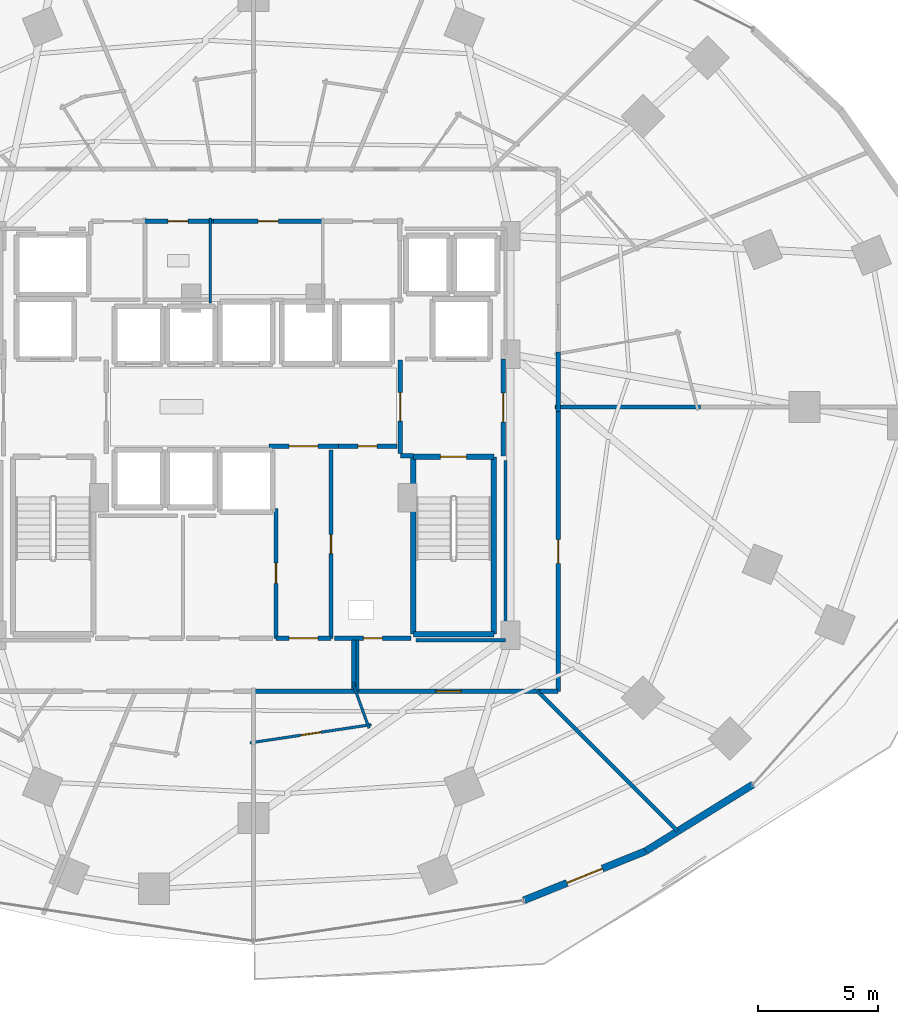
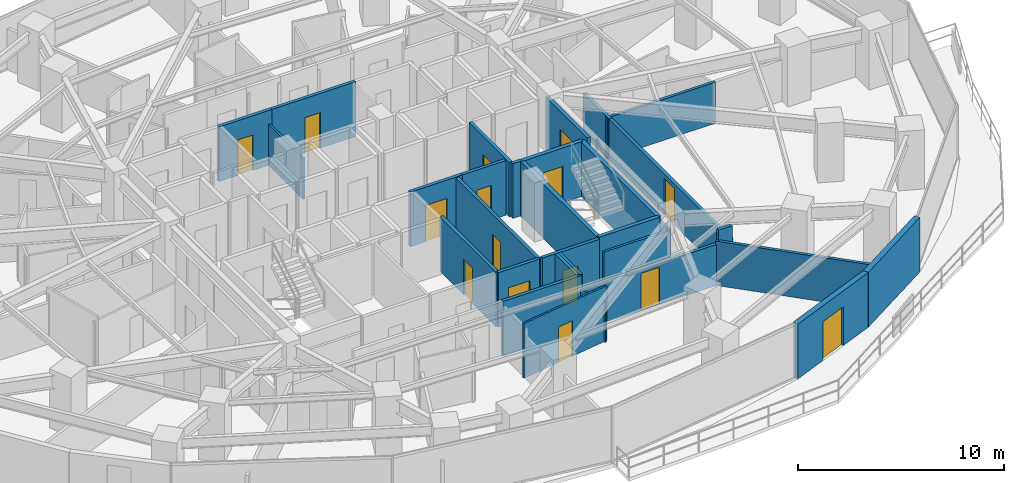
# One storey, part 28 of 34: 31 walls, 15 doors, 15 openings.
"""IFC4 building model written with IfcOpenShell, lengths in metres."""

from ifc_helpers import new_model, si_unit, direction, frame, frame_2d, origin, place, context, subcontext, project, spatial, rectangle, extrude, material, layer, layer_set, type_object, element, fill, save


model = new_model("IFC4")

# Units and contexts
model_context = context("Model", 3, precision=1e-05, world=origin(), true_north=direction((0.0, 1.0)))
body_context = subcontext(model_context, "Body", "Model", "MODEL_VIEW")
ifc_project = project(units=[si_unit("LENGTHUNIT", "METRE"), si_unit("AREAUNIT", "SQUARE_METRE"), si_unit("VOLUMEUNIT", "CUBIC_METRE"), si_unit("PLANEANGLEUNIT", "RADIAN"), si_unit("MASSUNIT", "GRAM", prefix="KILO")], contexts=[model_context])

# Site, building, storey
site_placement = place(None, origin())
site = spatial("IfcSite", under=ifc_project, at=site_placement, CompositionType="ELEMENT")
building_placement = place(site_placement, origin())
building = spatial("IfcBuilding", under=site, at=building_placement, Name="Vorneva Point Tower", CompositionType="ELEMENT")
storey_placement = place(building_placement, frame((0.0, 0.0, 31.0)))
storey = spatial("IfcBuildingStorey", under=building, at=storey_placement, Name="L07", CompositionType="ELEMENT", Elevation=31.0)

# Wall, opening, door
ifc_material_1 = material(Name="Precast concrete B50 (C40/50)", Category="concrete")
ifc_layer_1 = layer(ifc_material_1, 0.300048828125)
ifc_layer_set_1 = layer_set([ifc_layer_1], Name="Precast concrete B50 (C40/50)")
wall_type_1 = type_object("IfcWallType", Name="WL-EXT-300", PredefinedType="STANDARD", material=ifc_layer_set_1)
wall_1_placement = place(storey_placement, frame((49.308349609375, 5.351318359375, 0.0), z_axis=(0.0, 0.0, 1.0), x_axis=(0.927095325176, 0.374825636845, 0.0)))
wall_1 = element("IfcWall", 1, at=wall_1_placement, inside=storey, type_object=wall_type_1, Name="L07 Pale-Metal Facade Spandrel Wall 14.1", PredefinedType="STANDARD", context=body_context, shape_type="SweptSolid", body=[
    extrude(rectangle(XDim=5.51025390625, YDim=0.300048828125, at=frame_2d((2.755126953125, 0.0))), origin(), (0.0, 0.0, 1.0), 3.239990234375),
])
opening_1_placement = place(wall_1_placement, frame((1.955322265625, 0.0, 0.0)))
opening_1 = element("IfcOpeningElement", 2, at=opening_1_placement, cuts=wall_1, Name="Opening BD-01", PredefinedType="OPENING", context=body_context, shape_type="SweptSolid", body=[
    extrude(rectangle(XDim=1.60009765625, YDim=2.300048828125, at=frame_2d((0.800048828125, 1.14990234375))), frame((0.0, 0.1650390625, 0.0), z_axis=(0.0, -1.0, 0.0), x_axis=(1.0, 0.0, 0.0)), (0.0, 0.0, 1.0), 0.329833984375),
])
ifc_material_2 = material(Name="Pale anodised aluminium", Category="aluminium")
door_type_1 = type_object("IfcDoorType", Name="DR-BAL-1600", OperationType="SLIDING_TO_LEFT", PredefinedType="DOOR", material=ifc_material_2)
door_1_placement = place(opening_1_placement, origin())
door_1 = element("IfcDoor", 3, at=door_1_placement, inside=storey, type_object=door_type_1, Name="L07 Balcony Terrace Access Door 14", OperationType="SLIDING_TO_LEFT", OverallHeight=2.300048828125, OverallWidth=1.60009765625, PredefinedType="DOOR", context=body_context, shape_type="SweptSolid", body=[
    extrude(rectangle(XDim=1.60009765625, YDim=2.300048828125, at=frame_2d((0.800048828125, 1.14990234375))), frame((0.0, 0.02490234375, 0.0), z_axis=(0.0, -1.0, 0.0), x_axis=(1.0, 0.0, 0.0)), (0.0, 0.0, 1.0), 0.050048828125),
])
fill(opening_1, door_1)

# Walls
wall_2_placement = place(storey_placement, frame((54.4169921875, 7.416748046875, 0.0), z_axis=(0.0, 0.0, 1.0), x_axis=(0.849633724826, 0.527373239404, 0.0)))
element("IfcWall", 4, at=wall_2_placement, inside=storey, type_object=wall_type_1, Name="L07 Pale-Metal Facade Spandrel Wall 14.2", PredefinedType="STANDARD", context=body_context, shape_type="SweptSolid", body=[
    extrude(rectangle(XDim=5.2705078125, YDim=0.300048828125, at=frame_2d((2.63525390625, 0.0))), origin(), (0.0, 0.0, 1.0), 3.239990234375),
])
ifc_material_3 = material(Name="Fire-rated acoustic gypsum stud partition", Category="gypsum")
ifc_layer_2 = layer(ifc_material_3, 0.110107421875)
ifc_layer_set_2 = layer_set([ifc_layer_2], Name="Fire-rated acoustic gypsum stud partition")
wall_type_2 = type_object("IfcWallType", Name="WL-PART-110", PredefinedType="PARTITIONING", material=ifc_layer_set_2)
wall_3_placement = place(storey_placement, frame((36.199951171875, 30.340087890625, 0.0), z_axis=(0.0, 0.0, 1.0), x_axis=(0.0, 1.0, 0.0)))
element("IfcWall", 5, at=wall_3_placement, inside=storey, type_object=wall_type_2, Name="L07 Interior Partition 015", PredefinedType="PARTITIONING", context=body_context, shape_type="SweptSolid", body=[
    extrude(rectangle(XDim=3.559814453125, YDim=0.110107421875, at=frame_2d((1.77978515625, 0.0))), origin(), (0.0, 0.0, 1.0), 2.431884765625),
])

# Wall, opening, door
wall_4_placement = place(storey_placement, frame((42.932373046875, 12.705810546875, 0.0), z_axis=(0.0, 0.0, 1.0), x_axis=(-0.988876905643, -0.148736227888, 0.0)))
wall_4 = element("IfcWall", 6, at=wall_4_placement, inside=storey, type_object=wall_type_2, Name="L07 Interior Partition 104", PredefinedType="PARTITIONING", context=body_context, shape_type="SweptSolid", body=[
    extrude(rectangle(XDim=5.1279296875, YDim=0.110107421875, at=frame_2d((2.56396484375, 0.0))), origin(), (0.0, 0.0, 1.0), 3.239990234375),
])
opening_2_placement = place(wall_4_placement, frame((2.138916015625, 0.0, 0.0)))
opening_2 = element("IfcOpeningElement", 7, at=opening_2_placement, cuts=wall_4, Name="Opening ID-02", PredefinedType="OPENING", context=body_context, shape_type="SweptSolid", body=[
    extrude(rectangle(XDim=0.85009765625, YDim=2.10009765625, at=frame_2d((0.425048828125, 1.050048828125))), frame((0.0, 0.06982421875, 0.0), z_axis=(0.0, -1.0, 0.0), x_axis=(1.0, 0.0, 0.0)), (0.0, 0.0, 1.0), 0.139892578125),
])
ifc_material_4 = material(Name="Engineered oak fire-rated door leaf", Category="wood")
door_type_2 = type_object("IfcDoorType", Name="DR-BATH-850", OperationType="NOTDEFINED", PredefinedType="DOOR", material=ifc_material_4)
door_2_placement = place(opening_2_placement, origin())
door_2 = element("IfcDoor", 8, at=door_2_placement, inside=storey, type_object=door_type_2, Name="L07 Door Junior Suite L07-13 / En-Suite Bathroom L07-13", OperationType="SINGLE_SWING_LEFT", OverallHeight=2.10009765625, OverallWidth=0.85009765625, PredefinedType="DOOR", context=body_context, shape_type="SweptSolid", body=[
    extrude(rectangle(XDim=0.85009765625, YDim=2.10009765625, at=frame_2d((0.425048828125, 1.050048828125))), frame((0.0, 0.02490234375, 0.0), z_axis=(0.0, -1.0, 0.0), x_axis=(1.0, 0.0, 0.0)), (0.0, 0.0, 1.0), 0.050048828125),
])
fill(opening_2, door_2)

# Walls
wall_5_placement = place(storey_placement, frame((42.152587890625, 14.4658203125, 0.0), z_axis=(0.0, 0.0, 1.0), x_axis=(0.338800270412, -0.940858319179, 0.0)))
element("IfcWall", 9, at=wall_5_placement, inside=storey, type_object=wall_type_2, Name="L07 Interior Partition 105", PredefinedType="PARTITIONING", context=body_context, shape_type="SweptSolid", body=[
    extrude(rectangle(XDim=2.03271484375, YDim=0.110107421875, at=frame_2d((1.016357421875, 0.0))), origin(), (0.0, 0.0, 1.0), 2.431884765625),
])
ifc_layer_3 = layer(ifc_material_3, 0.139892578125)
ifc_layer_set_3 = layer_set([ifc_layer_3], Name="Fire-rated acoustic gypsum stud partition")
wall_type_3 = type_object("IfcWallType", Name="WL-PART-140", PredefinedType="PARTITIONING", material=ifc_layer_set_3)
wall_6_placement = place(storey_placement, frame((48.550048828125, 23.75390625, 0.0), z_axis=(0.0, 0.0, 1.0), x_axis=(0.0, -1.0, 0.0)))
element("IfcWall", 10, at=wall_6_placement, inside=storey, type_object=wall_type_3, Name="L07 Interior Closure Partition 118", PredefinedType="PARTITIONING", context=body_context, shape_type="SweptSolid", body=[
    extrude(rectangle(XDim=7.513916015625, YDim=0.139892578125, at=frame_2d((3.7568359375, 0.0))), origin(), (0.0, 0.0, 1.0), 2.431884765625),
])
wall_7_placement = place(storey_placement, frame((48.550048828125, 16.239990234375, 0.0), z_axis=(0.0, 0.0, 1.0), x_axis=(-1.0, 0.0, 0.0)))
element("IfcWall", 11, at=wall_7_placement, inside=storey, type_object=wall_type_3, Name="L07 Interior Closure Partition 119", PredefinedType="PARTITIONING", context=body_context, shape_type="SweptSolid", body=[
    extrude(rectangle(XDim=3.7451171875, YDim=0.139892578125, at=frame_2d((1.87255859375, 0.0))), origin(), (0.0, 0.0, 1.0), 2.431884765625),
])
ifc_layer_4 = layer(ifc_material_3, 0.159912109375)
ifc_layer_set_4 = layer_set([ifc_layer_4], Name="Fire-rated acoustic gypsum stud partition")
wall_type_4 = type_object("IfcWallType", Name="WL-PART-160", PredefinedType="PARTITIONING", material=ifc_layer_set_4)
wall_8_placement = place(storey_placement, frame((50.610107421875, 26.0, 0.0), z_axis=(0.0, 0.0, 1.0), x_axis=(1.0, 0.0, 0.0)))
element("IfcWall", 12, at=wall_8_placement, inside=storey, type_object=wall_type_4, Name="L07 Interior Partition 061", PredefinedType="PARTITIONING", context=body_context, shape_type="SweptSolid", body=[
    extrude(rectangle(XDim=6.08984375, YDim=0.159912109375, at=frame_2d((3.044921875, 0.0))), origin(), (0.0, 0.0, 1.0), 2.431884765625),
])
wall_9_placement = place(storey_placement, frame((55.7529296875, 8.2470703125, 0.0), z_axis=(0.0, 0.0, 1.0), x_axis=(-0.707106781187, 0.707106781187, 0.0)))
element("IfcWall", 13, at=wall_9_placement, inside=storey, type_object=wall_type_4, Name="L07 Interior Partition 106", PredefinedType="PARTITIONING", context=body_context, shape_type="SweptSolid", body=[
    extrude(rectangle(XDim=8.27734375, YDim=0.159912109375, at=frame_2d((4.138671875, 0.0))), origin(), (0.0, 0.0, 1.0), 2.6240234375),
])

# Wall, opening, door
ifc_material_5 = material(Name="Autoclaved aerated concrete blockwork", Category="masonry")
ifc_layer_5 = layer(ifc_material_5, 0.179931640625)
ifc_layer_set_5 = layer_set([ifc_layer_5], Name="Autoclaved aerated concrete blockwork")
wall_type_5 = type_object("IfcWallType", Name="WL-PART-180", PredefinedType="PARTITIONING", material=ifc_layer_set_5)
wall_10_placement = place(storey_placement, frame((44.14990234375, 27.955078125, 0.0), z_axis=(0.0, 0.0, 1.0), x_axis=(0.0, -1.0, 0.0)))
wall_10 = element("IfcWall", 14, at=wall_10_placement, inside=storey, type_object=wall_type_5, Name="L07 Interior Partition 003", PredefinedType="PARTITIONING", context=body_context, shape_type="SweptSolid", body=[
    extrude(rectangle(XDim=3.91015625, YDim=0.179931640625, at=frame_2d((1.955078125, 0.0))), origin(), (0.0, 0.0, 1.0), 3.239990234375),
])
opening_3_placement = place(wall_10_placement, frame((1.35498046875, 0.0, 0.0)))
opening_3 = element("IfcOpeningElement", 15, at=opening_3_placement, cuts=wall_10, Name="Opening FD-02", PredefinedType="OPENING", context=body_context, shape_type="SweptSolid", body=[
    extrude(rectangle(XDim=1.199951171875, YDim=2.14990234375, at=frame_2d((0.60009765625, 1.074951171875))), frame((0.0, 0.10498046875, 0.0), z_axis=(0.0, -1.0, 0.0), x_axis=(1.0, 0.0, 0.0)), (0.0, 0.0, 1.0), 0.209716796875),
])
ifc_material_6 = material(Name="Fire-rated powder-coated steel", Category="steel")
door_type_3 = type_object("IfcDoorType", Name="DR-FFL-1200", OperationType="NOTDEFINED", PredefinedType="DOOR", material=ifc_material_6)
door_3_placement = place(opening_3_placement, origin())
door_3 = element("IfcDoor", 16, at=door_3_placement, inside=storey, type_object=door_type_3, Name="L07 Door East Firefighting Lobby / Central Lift Lobby", OperationType="SINGLE_SWING_LEFT", OverallHeight=2.14990234375, OverallWidth=1.199951171875, PredefinedType="DOOR", context=body_context, shape_type="SweptSolid", body=[
    extrude(rectangle(XDim=1.199951171875, YDim=2.14990234375, at=frame_2d((0.60009765625, 1.074951171875))), frame((0.0, 0.02490234375, 0.0), z_axis=(0.0, -1.0, 0.0), x_axis=(1.0, 0.0, 0.0)), (0.0, 0.0, 1.0), 0.050048828125),
])
fill(opening_3, door_3)

# Wall
wall_11_placement = place(storey_placement, frame((44.14990234375, 23.949951171875, 0.0), z_axis=(0.0, 0.0, 1.0), x_axis=(1.0, 0.0, 0.0)))
element("IfcWall", 17, at=wall_11_placement, inside=storey, type_object=wall_type_5, Name="L07 Interior Partition 004", PredefinedType="PARTITIONING", context=body_context, shape_type="SweptSolid", body=[
    extrude(rectangle(XDim=0.5400390625, YDim=0.179931640625, at=frame_2d((0.27001953125, 0.0))), origin(), (0.0, 0.0, 1.0), 3.239990234375),
])

# Wall, opening, door
wall_12_placement = place(storey_placement, frame((48.449951171875, 23.949951171875, 0.0), z_axis=(0.0, 0.0, 1.0), x_axis=(0.0, 1.0, 0.0)))
wall_12 = element("IfcWall", 18, at=wall_12_placement, inside=storey, type_object=wall_type_5, Name="L07 Interior Partition 005", PredefinedType="PARTITIONING", context=body_context, shape_type="SweptSolid", body=[
    extrude(rectangle(XDim=4.050048828125, YDim=0.179931640625, at=frame_2d((2.02490234375, 0.0))), origin(), (0.0, 0.0, 1.0), 3.239990234375),
])
opening_4_placement = place(wall_12_placement, frame((1.425048828125, 0.0, 0.0)))
opening_4 = element("IfcOpeningElement", 19, at=opening_4_placement, cuts=wall_12, Name="Opening FD-02", PredefinedType="OPENING", context=body_context, shape_type="SweptSolid", body=[
    extrude(rectangle(XDim=1.199951171875, YDim=2.14990234375, at=frame_2d((0.60009765625, 1.074951171875))), frame((0.0, 0.10498046875, 0.0), z_axis=(0.0, -1.0, 0.0), x_axis=(1.0, 0.0, 0.0)), (0.0, 0.0, 1.0), 0.209716796875),
])
door_4_placement = place(opening_4_placement, origin())
door_4 = element("IfcDoor", 20, at=door_4_placement, inside=storey, type_object=door_type_3, Name="L07 Door East Firefighting Lobby / L07 Circulation Corridor", OperationType="SINGLE_SWING_LEFT", OverallHeight=2.14990234375, OverallWidth=1.199951171875, PredefinedType="DOOR", context=body_context, shape_type="SweptSolid", body=[
    extrude(rectangle(XDim=1.199951171875, YDim=2.14990234375, at=frame_2d((0.60009765625, 1.074951171875))), frame((0.0, 0.02490234375, 0.0), z_axis=(0.0, -1.0, 0.0), x_axis=(1.0, 0.0, 0.0)), (0.0, 0.0, 1.0), 0.050048828125),
])
fill(opening_4, door_4)

wall_13_placement = place(storey_placement, frame((38.64501953125, 24.35009765625, 0.0), z_axis=(0.0, 0.0, 1.0), x_axis=(1.0, 0.0, 0.0)))
wall_13 = element("IfcWall", 21, at=wall_13_placement, inside=storey, type_object=wall_type_5, Name="L07 Interior Partition 009", PredefinedType="PARTITIONING", context=body_context, shape_type="SweptSolid", body=[
    extrude(rectangle(XDim=2.909912109375, YDim=0.179931640625, at=frame_2d((1.455078125, 0.0))), origin(), (0.0, 0.0, 1.0), 3.239990234375),
])
opening_5_placement = place(wall_13_placement, frame((0.85498046875, 0.0, 0.0)))
opening_5 = element("IfcOpeningElement", 22, at=opening_5_placement, cuts=wall_13, Name="Opening FD-02", PredefinedType="OPENING", context=body_context, shape_type="SweptSolid", body=[
    extrude(rectangle(XDim=1.199951171875, YDim=2.14990234375, at=frame_2d((0.60009765625, 1.074951171875))), frame((0.0, 0.10498046875, 0.0), z_axis=(0.0, -1.0, 0.0), x_axis=(1.0, 0.0, 0.0)), (0.0, 0.0, 1.0), 0.209716796875),
])
door_5_placement = place(opening_5_placement, origin())
door_5 = element("IfcDoor", 23, at=door_5_placement, inside=storey, type_object=door_type_3, Name="L07 Door Central Lift Lobby / Core Service Lobby", OperationType="SINGLE_SWING_RIGHT", OverallHeight=2.14990234375, OverallWidth=1.199951171875, PredefinedType="DOOR", context=body_context, shape_type="SweptSolid", body=[
    extrude(rectangle(XDim=1.199951171875, YDim=2.14990234375, at=frame_2d((0.60009765625, 1.074951171875))), frame((0.0, 0.02490234375, 0.0), z_axis=(0.0, -1.0, 0.0), x_axis=(1.0, 0.0, 0.0)), (0.0, 0.0, 1.0), 0.050048828125),
])
fill(opening_5, door_5)

wall_14_placement = place(storey_placement, frame((41.554931640625, 24.35009765625, 0.0), z_axis=(0.0, 0.0, 1.0), x_axis=(1.0, 0.0, 0.0)))
wall_14 = element("IfcWall", 24, at=wall_14_placement, inside=storey, type_object=wall_type_5, Name="L07 Interior Partition 010", PredefinedType="PARTITIONING", context=body_context, shape_type="SweptSolid", body=[
    extrude(rectangle(XDim=2.445068359375, YDim=0.179931640625, at=frame_2d((1.22265625, 0.0))), origin(), (0.0, 0.0, 1.0), 3.239990234375),
])
opening_6_placement = place(wall_14_placement, frame((0.822509765625, 0.0, 0.0)))
opening_6 = element("IfcOpeningElement", 25, at=opening_6_placement, cuts=wall_14, Name="Opening RD-01", PredefinedType="OPENING", context=body_context, shape_type="SweptSolid", body=[
    extrude(rectangle(XDim=0.800048828125, YDim=2.050048828125, at=frame_2d((0.39990234375, 1.02490234375))), frame((0.0, 0.10498046875, 0.0), z_axis=(0.0, -1.0, 0.0), x_axis=(1.0, 0.0, 0.0)), (0.0, 0.0, 1.0), 0.209716796875),
])
door_type_4 = type_object("IfcDoorType", Name="DR-RSR-800", OperationType="SINGLE_SWING_LEFT", PredefinedType="DOOR", material=ifc_material_6)
door_6_placement = place(opening_6_placement, origin())
door_6 = element("IfcDoor", 26, at=door_6_placement, inside=storey, type_object=door_type_4, Name="L07 Door Central Lift Lobby / Electrical Riser", OperationType="SINGLE_SWING_LEFT", OverallHeight=2.050048828125, OverallWidth=0.800048828125, PredefinedType="DOOR", context=body_context, shape_type="SweptSolid", body=[
    extrude(rectangle(XDim=0.800048828125, YDim=2.050048828125, at=frame_2d((0.39990234375, 1.02490234375))), frame((0.0, 0.02490234375, 0.0), z_axis=(0.0, -1.0, 0.0), x_axis=(1.0, 0.0, 0.0)), (0.0, 0.0, 1.0), 0.050048828125),
])
fill(opening_6, door_6)

wall_15_placement = place(storey_placement, frame((41.25, 16.320068359375, 0.0), z_axis=(0.0, 0.0, 1.0), x_axis=(0.0, 1.0, 0.0)))
wall_15 = element("IfcWall", 27, at=wall_15_placement, inside=storey, type_object=wall_type_5, Name="L07 Interior Partition 011", PredefinedType="PARTITIONING", context=body_context, shape_type="SweptSolid", body=[
    extrude(rectangle(XDim=7.8798828125, YDim=0.179931640625, at=frame_2d((3.93994140625, 0.0))), origin(), (0.0, 0.0, 1.0), 3.239990234375),
])
opening_7_placement = place(wall_15_placement, frame((3.5400390625, 0.0, 0.0)))
opening_7 = element("IfcOpeningElement", 28, at=opening_7_placement, cuts=wall_15, Name="Opening RD-01", PredefinedType="OPENING", context=body_context, shape_type="SweptSolid", body=[
    extrude(rectangle(XDim=0.800048828125, YDim=2.050048828125, at=frame_2d((0.39990234375, 1.02490234375))), frame((0.0, 0.10498046875, 0.0), z_axis=(0.0, -1.0, 0.0), x_axis=(1.0, 0.0, 0.0)), (0.0, 0.0, 1.0), 0.209716796875),
])
door_7_placement = place(opening_7_placement, origin())
door_7 = element("IfcDoor", 29, at=door_7_placement, inside=storey, type_object=door_type_4, Name="L07 Door Core Service Lobby / Electrical Riser", OperationType="SINGLE_SWING_RIGHT", OverallHeight=2.050048828125, OverallWidth=0.800048828125, PredefinedType="DOOR", context=body_context, shape_type="SweptSolid", body=[
    extrude(rectangle(XDim=0.800048828125, YDim=2.050048828125, at=frame_2d((0.39990234375, 1.02490234375))), frame((0.0, 0.02490234375, 0.0), z_axis=(0.0, -1.0, 0.0), x_axis=(1.0, 0.0, 0.0)), (0.0, 0.0, 1.0), 0.050048828125),
])
fill(opening_7, door_7)

wall_16_placement = place(storey_placement, frame((38.949951171875, 21.7548828125, 0.0), z_axis=(0.0, 0.0, 1.0), x_axis=(0.0, -1.0, 0.0)))
wall_16 = element("IfcWall", 30, at=wall_16_placement, inside=storey, type_object=wall_type_5, Name="L07 Interior Partition 012", PredefinedType="PARTITIONING", context=body_context, shape_type="SweptSolid", body=[
    extrude(rectangle(XDim=5.434814453125, YDim=0.179931640625, at=frame_2d((2.71728515625, 0.0))), origin(), (0.0, 0.0, 1.0), 3.239990234375),
])
opening_8_placement = place(wall_16_placement, frame((2.29248046875, 0.0, 0.0)))
opening_8 = element("IfcOpeningElement", 31, at=opening_8_placement, cuts=wall_16, Name="Opening ID-02", PredefinedType="OPENING", context=body_context, shape_type="SweptSolid", body=[
    extrude(rectangle(XDim=0.85009765625, YDim=2.10009765625, at=frame_2d((0.425048828125, 1.050048828125))), frame((0.0, 0.10498046875, 0.0), z_axis=(0.0, -1.0, 0.0), x_axis=(1.0, 0.0, 0.0)), (0.0, 0.0, 1.0), 0.209716796875),
])
door_8_placement = place(opening_8_placement, origin())
door_8 = element("IfcDoor", 32, at=door_8_placement, inside=storey, type_object=door_type_2, Name="L07 Door Core Service Lobby / Linen Store", OperationType="SINGLE_SWING_LEFT", OverallHeight=2.10009765625, OverallWidth=0.85009765625, PredefinedType="DOOR", context=body_context, shape_type="SweptSolid", body=[
    extrude(rectangle(XDim=0.85009765625, YDim=2.10009765625, at=frame_2d((0.425048828125, 1.050048828125))), frame((0.0, 0.02490234375, 0.0), z_axis=(0.0, -1.0, 0.0), x_axis=(1.0, 0.0, 0.0)), (0.0, 0.0, 1.0), 0.050048828125),
])
fill(opening_8, door_8)

wall_17_placement = place(storey_placement, frame((38.949951171875, 16.320068359375, 0.0), z_axis=(0.0, 0.0, 1.0), x_axis=(1.0, 0.0, 0.0)))
wall_17 = element("IfcWall", 33, at=wall_17_placement, inside=storey, type_object=wall_type_5, Name="L07 Interior Partition 013", PredefinedType="PARTITIONING", context=body_context, shape_type="SweptSolid", body=[
    extrude(rectangle(XDim=2.300048828125, YDim=0.179931640625, at=frame_2d((1.14990234375, 0.0))), origin(), (0.0, 0.0, 1.0), 3.239990234375),
])
opening_9_placement = place(wall_17_placement, frame((0.550048828125, 0.0, 0.0)))
opening_9 = element("IfcOpeningElement", 34, at=opening_9_placement, cuts=wall_17, Name="Opening FD-02", PredefinedType="OPENING", context=body_context, shape_type="SweptSolid", body=[
    extrude(rectangle(XDim=1.199951171875, YDim=2.14990234375, at=frame_2d((0.60009765625, 1.074951171875))), frame((0.0, 0.10498046875, 0.0), z_axis=(0.0, -1.0, 0.0), x_axis=(1.0, 0.0, 0.0)), (0.0, 0.0, 1.0), 0.209716796875),
])
door_9_placement = place(opening_9_placement, origin())
door_9 = element("IfcDoor", 35, at=door_9_placement, inside=storey, type_object=door_type_3, Name="L07 Door Core Service Lobby / L07 Circulation Corridor", OperationType="SINGLE_SWING_RIGHT", OverallHeight=2.14990234375, OverallWidth=1.199951171875, PredefinedType="DOOR", context=body_context, shape_type="SweptSolid", body=[
    extrude(rectangle(XDim=1.199951171875, YDim=2.14990234375, at=frame_2d((0.60009765625, 1.074951171875))), frame((0.0, 0.02490234375, 0.0), z_axis=(0.0, -1.0, 0.0), x_axis=(1.0, 0.0, 0.0)), (0.0, 0.0, 1.0), 0.050048828125),
])
fill(opening_9, door_9)

wall_18_placement = place(storey_placement, frame((41.39990234375, 16.320068359375, 0.0), z_axis=(0.0, 0.0, 1.0), x_axis=(1.0, 0.0, 0.0)))
wall_18 = element("IfcWall", 36, at=wall_18_placement, inside=storey, type_object=wall_type_5, Name="L07 Interior Partition 014", PredefinedType="PARTITIONING", context=body_context, shape_type="SweptSolid", body=[
    extrude(rectangle(XDim=3.2001953125, YDim=0.179931640625, at=frame_2d((1.60009765625, 0.0))), origin(), (0.0, 0.0, 1.0), 3.239990234375),
])
opening_10_placement = place(wall_18_placement, frame((1.199951171875, 0.0, 0.0)))
opening_10 = element("IfcOpeningElement", 37, at=opening_10_placement, cuts=wall_18, Name="Opening RD-01", PredefinedType="OPENING", context=body_context, shape_type="SweptSolid", body=[
    extrude(rectangle(XDim=0.800048828125, YDim=2.050048828125, at=frame_2d((0.39990234375, 1.02490234375))), frame((0.0, 0.10498046875, 0.0), z_axis=(0.0, -1.0, 0.0), x_axis=(1.0, 0.0, 0.0)), (0.0, 0.0, 1.0), 0.209716796875),
])
door_10_placement = place(opening_10_placement, origin())
door_10 = element("IfcDoor", 38, at=door_10_placement, inside=storey, type_object=door_type_4, Name="L07 Door Electrical Riser / L07 Circulation Corridor", OperationType="SINGLE_SWING_LEFT", OverallHeight=2.050048828125, OverallWidth=0.800048828125, PredefinedType="DOOR", context=body_context, shape_type="SweptSolid", body=[
    extrude(rectangle(XDim=0.800048828125, YDim=2.050048828125, at=frame_2d((0.39990234375, 1.02490234375))), frame((0.0, 0.02490234375, 0.0), z_axis=(0.0, -1.0, 0.0), x_axis=(1.0, 0.0, 0.0)), (0.0, 0.0, 1.0), 0.050048828125),
])
fill(opening_10, door_10)

wall_19_placement = place(storey_placement, frame((36.340087890625, 33.760009765625, 0.0), z_axis=(0.0, 0.0, 1.0), x_axis=(-1.0, 0.0, 0.0)))
wall_19 = element("IfcWall", 39, at=wall_19_placement, inside=storey, type_object=wall_type_5, Name="L07 Interior Partition 016", PredefinedType="PARTITIONING", context=body_context, shape_type="SweptSolid", body=[
    extrude(rectangle(XDim=2.97998046875, YDim=0.179931640625, at=frame_2d((1.489990234375, 0.0))), origin(), (0.0, 0.0, 1.0), 3.239990234375),
])
opening_11_placement = place(wall_19_placement, frame((1.06494140625, 0.0, 0.0)))
opening_11 = element("IfcOpeningElement", 40, at=opening_11_placement, cuts=wall_19, Name="Opening ID-02", PredefinedType="OPENING", context=body_context, shape_type="SweptSolid", body=[
    extrude(rectangle(XDim=0.85009765625, YDim=2.10009765625, at=frame_2d((0.425048828125, 1.050048828125))), frame((0.0, 0.10498046875, 0.0), z_axis=(0.0, -1.0, 0.0), x_axis=(1.0, 0.0, 0.0)), (0.0, 0.0, 1.0), 0.209716796875),
])
door_11_placement = place(opening_11_placement, origin())
door_11 = element("IfcDoor", 41, at=door_11_placement, inside=storey, type_object=door_type_2, Name="L07 Door Public Male WC / L07 Circulation Corridor", OperationType="SINGLE_SWING_RIGHT", OverallHeight=2.10009765625, OverallWidth=0.85009765625, PredefinedType="DOOR", context=body_context, shape_type="SweptSolid", body=[
    extrude(rectangle(XDim=0.85009765625, YDim=2.10009765625, at=frame_2d((0.425048828125, 1.050048828125))), frame((0.0, 0.02490234375, 0.0), z_axis=(0.0, -1.0, 0.0), x_axis=(1.0, 0.0, 0.0)), (0.0, 0.0, 1.0), 0.050048828125),
])
fill(opening_11, door_11)

wall_20_placement = place(storey_placement, frame((41.0400390625, 33.760009765625, 0.0), z_axis=(0.0, 0.0, 1.0), x_axis=(-1.0, 0.0, 0.0)))
wall_20 = element("IfcWall", 42, at=wall_20_placement, inside=storey, type_object=wall_type_5, Name="L07 Interior Partition 018", PredefinedType="PARTITIONING", context=body_context, shape_type="SweptSolid", body=[
    extrude(rectangle(XDim=4.840087890625, YDim=0.179931640625, at=frame_2d((2.419921875, 0.0))), origin(), (0.0, 0.0, 1.0), 3.239990234375),
])
opening_12_placement = place(wall_20_placement, frame((1.9951171875, 0.0, 0.0)))
opening_12 = element("IfcOpeningElement", 43, at=opening_12_placement, cuts=wall_20, Name="Opening ID-02", PredefinedType="OPENING", context=body_context, shape_type="SweptSolid", body=[
    extrude(rectangle(XDim=0.85009765625, YDim=2.10009765625, at=frame_2d((0.425048828125, 1.050048828125))), frame((0.0, 0.10498046875, 0.0), z_axis=(0.0, -1.0, 0.0), x_axis=(1.0, 0.0, 0.0)), (0.0, 0.0, 1.0), 0.209716796875),
])
door_12_placement = place(opening_12_placement, origin())
door_12 = element("IfcDoor", 44, at=door_12_placement, inside=storey, type_object=door_type_2, Name="L07 Door Public Female WC / L07 Circulation Corridor", OperationType="SINGLE_SWING_LEFT", OverallHeight=2.10009765625, OverallWidth=0.85009765625, PredefinedType="DOOR", context=body_context, shape_type="SweptSolid", body=[
    extrude(rectangle(XDim=0.85009765625, YDim=2.10009765625, at=frame_2d((0.425048828125, 1.050048828125))), frame((0.0, 0.02490234375, 0.0), z_axis=(0.0, -1.0, 0.0), x_axis=(1.0, 0.0, 0.0)), (0.0, 0.0, 1.0), 0.050048828125),
])
fill(opening_12, door_12)

# Walls
wall_21_placement = place(storey_placement, frame((50.75, 25.800048828125, 0.0), z_axis=(0.0, 0.0, 1.0), x_axis=(0.0, 1.0, 0.0)))
element("IfcWall", 45, at=wall_21_placement, inside=storey, type_object=wall_type_5, Name="L07 Interior Partition 025", PredefinedType="PARTITIONING", context=body_context, shape_type="SweptSolid", body=[
    extrude(rectangle(XDim=2.5048828125, YDim=0.179931640625, at=frame_2d((1.25244140625, 0.0))), origin(), (0.0, 0.0, 1.0), 2.431884765625),
])
wall_22_placement = place(storey_placement, frame((42.340087890625, 16.239990234375, 0.0), z_axis=(0.0, 0.0, 1.0), x_axis=(0.0, -1.0, 0.0)))
element("IfcWall", 46, at=wall_22_placement, inside=storey, type_object=wall_type_5, Name="L07 Interior Partition 051", PredefinedType="PARTITIONING", context=body_context, shape_type="SweptSolid", body=[
    extrude(rectangle(XDim=2.139892578125, YDim=0.179931640625, at=frame_2d((1.06982421875, 0.0))), origin(), (0.0, 0.0, 1.0), 3.239990234375),
])

# Wall, opening, door
wall_23_placement = place(storey_placement, frame((42.340087890625, 14.10009765625, 0.0), z_axis=(0.0, 0.0, 1.0), x_axis=(1.0, 0.0, 0.0)))
wall_23 = element("IfcWall", 47, at=wall_23_placement, inside=storey, type_object=wall_type_5, Name="L07 Interior Partition 052", PredefinedType="PARTITIONING", context=body_context, shape_type="SweptSolid", body=[
    extrude(rectangle(XDim=7.64501953125, YDim=0.179931640625, at=frame_2d((3.822509765625, 0.0))), origin(), (0.0, 0.0, 1.0), 2.431884765625),
])
opening_13_placement = place(wall_23_placement, frame((3.297607421875, 0.0, 0.0)))
opening_13 = element("IfcOpeningElement", 48, at=opening_13_placement, cuts=wall_23, Name="Opening UD-02", PredefinedType="OPENING", context=body_context, shape_type="SweptSolid", body=[
    extrude(rectangle(XDim=1.050048828125, YDim=2.199951171875, at=frame_2d((0.52490234375, 1.10009765625))), frame((0.0, 0.10498046875, 0.0), z_axis=(0.0, -1.0, 0.0), x_axis=(1.0, 0.0, 0.0)), (0.0, 0.0, 1.0), 0.209716796875),
])
door_type_5 = type_object("IfcDoorType", Name="DR-SUITE-1050", OperationType="NOTDEFINED", PredefinedType="DOOR", material=ifc_material_4)
door_13_placement = place(opening_13_placement, origin())
door_13 = element("IfcDoor", 49, at=door_13_placement, inside=storey, type_object=door_type_5, Name="L07 Door L07 Circulation Corridor / Junior Suite L07-13", OperationType="SINGLE_SWING_LEFT", OverallHeight=2.199951171875, OverallWidth=1.050048828125, PredefinedType="DOOR", context=body_context, shape_type="SweptSolid", body=[
    extrude(rectangle(XDim=1.050048828125, YDim=2.199951171875, at=frame_2d((0.52490234375, 1.10009765625))), frame((0.0, 0.02490234375, 0.0), z_axis=(0.0, -1.0, 0.0), x_axis=(1.0, 0.0, 0.0)), (0.0, 0.0, 1.0), 0.050048828125),
])
fill(opening_13, door_13)

# Walls
wall_24_placement = place(storey_placement, frame((42.199951171875, 14.156982421875, 0.0), z_axis=(0.0, 0.0, 1.0), x_axis=(0.0, 1.0, 0.0)))
element("IfcWall", 50, at=wall_24_placement, inside=storey, type_object=wall_type_5, Name="L07 Interior Partition 053", PredefinedType="PARTITIONING", context=body_context, shape_type="SweptSolid", body=[
    extrude(rectangle(XDim=2.0830078125, YDim=0.179931640625, at=frame_2d((1.04150390625, 0.0))), origin(), (0.0, 0.0, 1.0), 3.239990234375),
])
wall_25_placement = place(storey_placement, frame((37.919921875, 14.10009765625, 0.0), z_axis=(0.0, 0.0, 1.0), x_axis=(1.0, 0.0, 0.0)))
element("IfcWall", 51, at=wall_25_placement, inside=storey, type_object=wall_type_5, Name="L07 Interior Partition 054", PredefinedType="PARTITIONING", context=body_context, shape_type="SweptSolid", body=[
    extrude(rectangle(XDim=4.420166015625, YDim=0.179931640625, at=frame_2d((2.2099609375, 0.0))), origin(), (0.0, 0.0, 1.0), 3.239990234375),
])
wall_26_placement = place(storey_placement, frame((49.985107421875, 14.10009765625, 0.0), z_axis=(0.0, 0.0, 1.0), x_axis=(1.0, 0.0, 0.0)))
element("IfcWall", 52, at=wall_26_placement, inside=storey, type_object=wall_type_5, Name="L07 Interior Partition 055", PredefinedType="PARTITIONING", context=body_context, shape_type="SweptSolid", body=[
    extrude(rectangle(XDim=0.764892578125, YDim=0.179931640625, at=frame_2d((0.38232421875, 0.0))), origin(), (0.0, 0.0, 1.0), 3.239990234375),
])

# Wall, opening, door
wall_27_placement = place(storey_placement, frame((50.75, 14.10009765625, 0.0), z_axis=(0.0, 0.0, 1.0), x_axis=(0.0, 1.0, 0.0)))
wall_27 = element("IfcWall", 53, at=wall_27_placement, inside=storey, type_object=wall_type_5, Name="L07 Interior Partition 056", PredefinedType="PARTITIONING", context=body_context, shape_type="SweptSolid", body=[
    extrude(rectangle(XDim=11.699951171875, YDim=0.179931640625, at=frame_2d((5.85009765625, 0.0))), origin(), (0.0, 0.0, 1.0), 2.431884765625),
])
opening_14_placement = place(wall_27_placement, frame((5.35009765625, 0.0, 0.0)))
opening_14 = element("IfcOpeningElement", 54, at=opening_14_placement, cuts=wall_27, Name="Opening UD-01", PredefinedType="OPENING", context=body_context, shape_type="SweptSolid", body=[
    extrude(rectangle(XDim=1.0, YDim=2.14990234375, at=frame_2d((0.5, 1.074951171875))), frame((0.0, 0.10498046875, 0.0), z_axis=(0.0, -1.0, 0.0), x_axis=(1.0, 0.0, 0.0)), (0.0, 0.0, 1.0), 0.209716796875),
])
door_type_6 = type_object("IfcDoorType", Name="DR-UNIT-1000", OperationType="NOTDEFINED", PredefinedType="DOOR", material=ifc_material_4)
door_14_placement = place(opening_14_placement, origin())
door_14 = element("IfcDoor", 55, at=door_14_placement, inside=storey, type_object=door_type_6, Name="L07 Door L07 Circulation Corridor / Hotel Club Lounge L07-14", OperationType="SINGLE_SWING_RIGHT", OverallHeight=2.14990234375, OverallWidth=1.0, PredefinedType="DOOR", context=body_context, shape_type="SweptSolid", body=[
    extrude(rectangle(XDim=1.0, YDim=2.14990234375, at=frame_2d((0.5, 1.074951171875))), frame((0.0, 0.02490234375, 0.0), z_axis=(0.0, -1.0, 0.0), x_axis=(1.0, 0.0, 0.0)), (0.0, 0.0, 1.0), 0.050048828125),
])
fill(opening_14, door_14)

ifc_material_7 = material(Name="Concrete B50 (C40/50)", Category="concrete")
ifc_layer_6 = layer(ifc_material_7, 0.219970703125)
ifc_layer_set_6 = layer_set([ifc_layer_6], Name="Concrete B50 (C40/50)")
wall_type_6 = type_object("IfcWallType", Name="WL-SHFT-220", PredefinedType="SOLIDWALL", material=ifc_layer_set_6)
wall_28_placement = place(storey_placement, frame((44.68994140625, 23.909912109375, 0.0), z_axis=(0.0, 0.0, 1.0), x_axis=(1.0, 0.0, 0.0)))
wall_28 = element("IfcWall", 56, at=wall_28_placement, inside=storey, type_object=wall_type_6, Name="L07 Exit Stair ST2 Shaft Wall near", PredefinedType="SOLIDWALL", context=body_context, shape_type="SweptSolid", body=[
    extrude(rectangle(XDim=3.3701171875, YDim=0.219970703125, at=frame_2d((1.68505859375, 0.0))), origin(), (0.0, 0.0, 1.0), 3.239990234375),
])
opening_15_placement = place(wall_28_placement, frame((1.135009765625, 0.0, 0.0)))
opening_15 = element("IfcOpeningElement", 57, at=opening_15_placement, cuts=wall_28, Name="Opening FD-01", PredefinedType="OPENING", context=body_context, shape_type="SweptSolid", body=[
    extrude(rectangle(XDim=1.10009765625, YDim=2.14990234375, at=frame_2d((0.550048828125, 1.074951171875))), frame((0.0, 0.125, 0.0), z_axis=(0.0, -1.0, 0.0), x_axis=(1.0, 0.0, 0.0)), (0.0, 0.0, 1.0), 0.249755859375),
])
door_type_7 = type_object("IfcDoorType", Name="DR-STAIR-1100", OperationType="NOTDEFINED", PredefinedType="DOOR", material=ifc_material_6)
door_15_placement = place(opening_15_placement, origin())
door_15 = element("IfcDoor", 58, at=door_15_placement, inside=storey, type_object=door_type_7, Name="L07 Exit Stair ST2 Fire Door", OperationType="SINGLE_SWING_RIGHT", OverallHeight=2.14990234375, OverallWidth=1.10009765625, PredefinedType="DOOR", context=body_context, shape_type="SweptSolid", body=[
    extrude(rectangle(XDim=1.10009765625, YDim=2.14990234375, at=frame_2d((0.550048828125, 1.074951171875))), frame((0.0, 0.02490234375, 0.0), z_axis=(0.0, -1.0, 0.0), x_axis=(1.0, 0.0, 0.0)), (0.0, 0.0, 1.0), 0.050048828125),
])
fill(opening_15, door_15)

# Walls
wall_29_placement = place(storey_placement, frame((48.06005859375, 23.909912109375, 0.0), z_axis=(0.0, 0.0, 1.0), x_axis=(0.0, -1.0, 0.0)))
element("IfcWall", 59, at=wall_29_placement, inside=storey, type_object=wall_type_6, Name="L07 Exit Stair ST2 Shaft Wall right", PredefinedType="SOLIDWALL", context=body_context, shape_type="SweptSolid", body=[
    extrude(rectangle(XDim=7.419921875, YDim=0.219970703125, at=frame_2d((3.7099609375, 0.0))), origin(), (0.0, 0.0, 1.0), 3.239990234375),
])
wall_30_placement = place(storey_placement, frame((48.06005859375, 16.489990234375, 0.0), z_axis=(0.0, 0.0, 1.0), x_axis=(-1.0, 0.0, 0.0)))
element("IfcWall", 60, at=wall_30_placement, inside=storey, type_object=wall_type_6, Name="L07 Exit Stair ST2 Shaft Wall far", PredefinedType="SOLIDWALL", context=body_context, shape_type="SweptSolid", body=[
    extrude(rectangle(XDim=3.3701171875, YDim=0.219970703125, at=frame_2d((1.68505859375, 0.0))), origin(), (0.0, 0.0, 1.0), 3.239990234375),
])
wall_31_placement = place(storey_placement, frame((44.68994140625, 16.489990234375, 0.0), z_axis=(0.0, 0.0, 1.0), x_axis=(0.0, 1.0, 0.0)))
element("IfcWall", 61, at=wall_31_placement, inside=storey, type_object=wall_type_6, Name="L07 Exit Stair ST2 Shaft Wall left", PredefinedType="SOLIDWALL", context=body_context, shape_type="SweptSolid", body=[
    extrude(rectangle(XDim=7.419921875, YDim=0.219970703125, at=frame_2d((3.7099609375, 0.0))), origin(), (0.0, 0.0, 1.0), 3.239990234375),
])

save(model, "model.ifc")
